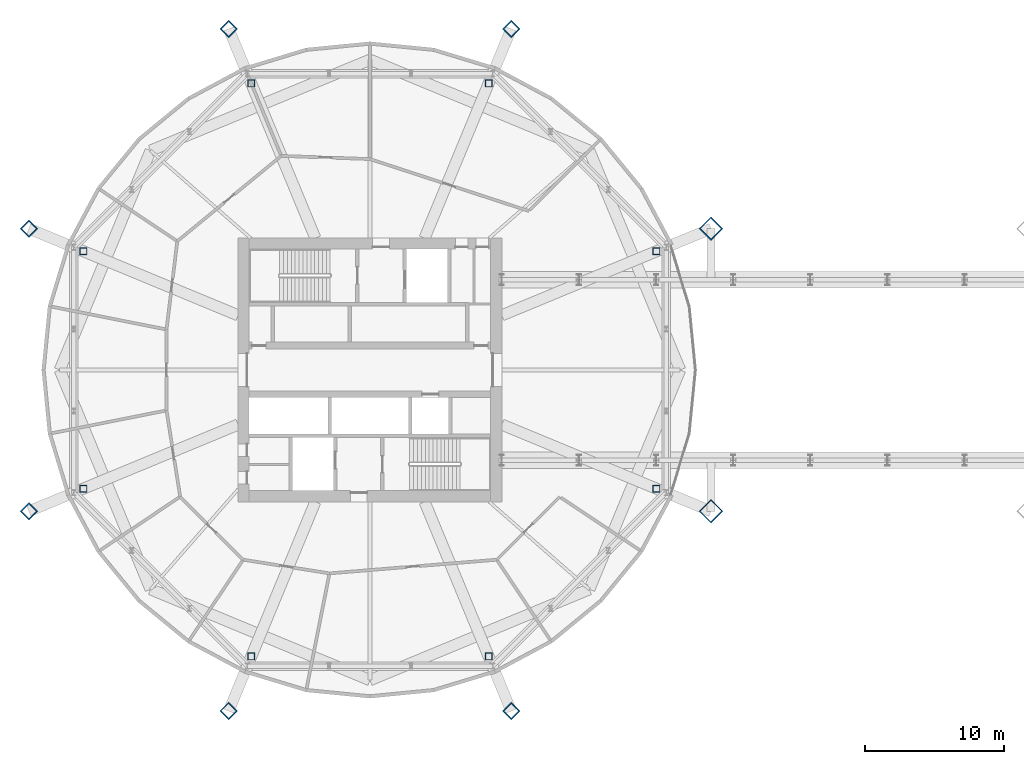
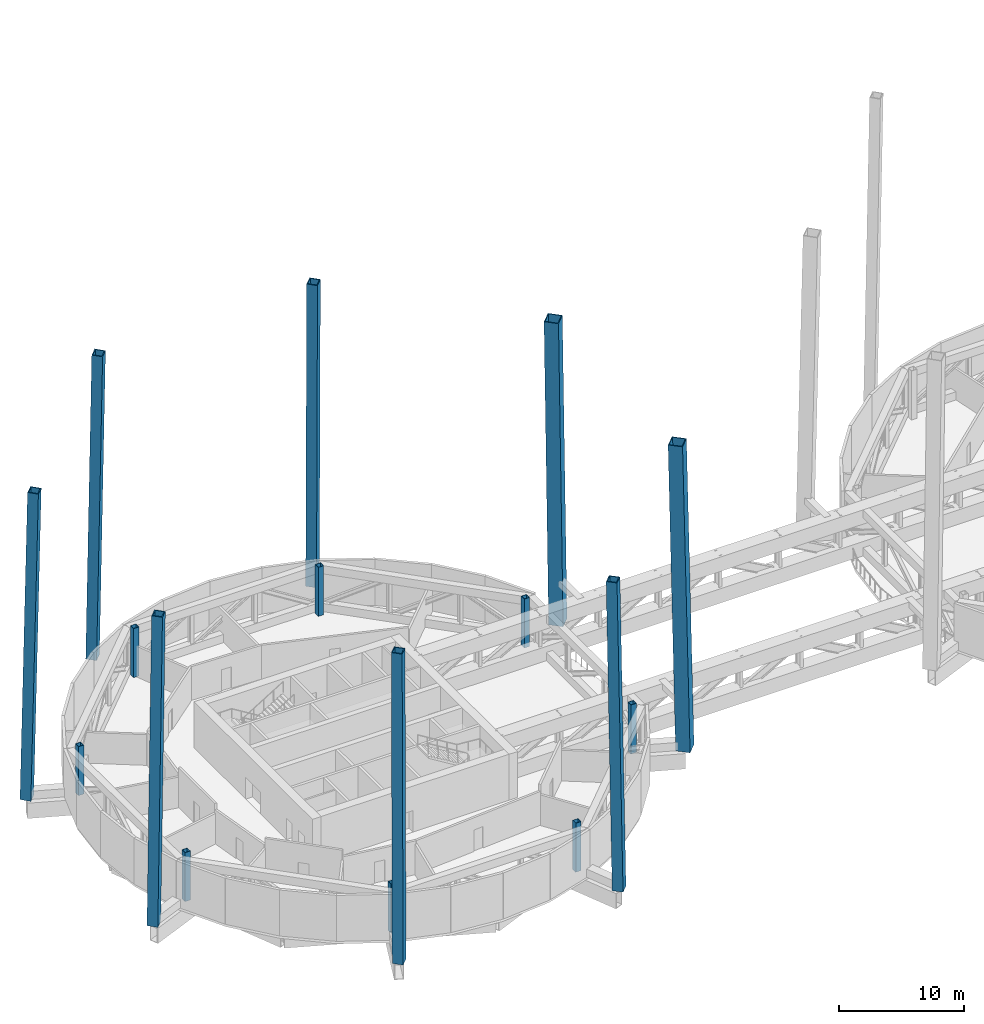
# One storey, part 1 of 19: 16 columns.
"""IFC4 building model written with IfcOpenShell, lengths in metres."""

from ifc_helpers import new_model, si_unit, direction, frame, origin, origin_2d, place, context, subcontext, project, spatial, hollow_rectangle, extrude, material, material_profile, profile_set, type_object, element, save


model = new_model("IFC4")

# Units and contexts
model_context = context("Model", 3, precision=1e-05, world=origin(), true_north=direction((0.0, 1.0)))
body_context = subcontext(model_context, "Body", "Model", "MODEL_VIEW")
ifc_project = project(units=[si_unit("LENGTHUNIT", "METRE"), si_unit("AREAUNIT", "SQUARE_METRE"), si_unit("VOLUMEUNIT", "CUBIC_METRE"), si_unit("PLANEANGLEUNIT", "RADIAN"), si_unit("MASSUNIT", "GRAM", prefix="KILO")], contexts=[model_context])

# Site, building, storey
site_placement = place(None, origin())
site = spatial("IfcSite", under=ifc_project, at=site_placement, CompositionType="ELEMENT")
building_placement = place(site_placement, origin())
building = spatial("IfcBuilding", under=site, at=building_placement, Name="Ogive Gate Towers", CompositionType="ELEMENT")
storey_placement = place(building_placement, frame((0.0, 0.0, 130.800048828125)))
storey = spatial("IfcBuildingStorey", under=building, at=storey_placement, Name="L31", CompositionType="ELEMENT", Elevation=130.800048828125)

# Columns
ifc_material = material(Name="Steel SM460", Category="steel")
ifc_material_profile_1 = material_profile(ifc_material, hollow_rectangle(XDim=0.89990234375, YDim=0.89990234375, WallThickness=0.080078125, at=origin_2d()), Name="BX 900x900x80")
ifc_profile_set_1 = profile_set([ifc_material_profile_1], Name="Steel SM460")
column_type_1 = type_object("IfcColumnType", Name="Gate column BX 900x900x80", PredefinedType="COLUMN", material=ifc_profile_set_1)
for number, where, z_axis, x_axis, name in (
    (1, (-25.820556640625, 24.5751953125, 0.0), (-0.007786476489, -0.018778670571, 0.999793344805), (0.707293788145, 0.706670185601, 0.018781534372), "T1/L31/SCL002"),
    (2, (-46.179443359375, 24.5751953125, 0.0), (0.007786476489, -0.018778670571, 0.999793344805), (-0.707293788145, 0.706670185601, 0.018781534372), "T1/L31/SCL003"),
    (3, (-60.5751953125, 10.179443359375, 0.0), (0.018778670571, -0.007786476489, 0.999793344805), (-0.707293864185, -0.706876840783, 0.007779566259), "T1/L31/SCL004"),
    (4, (-60.5751953125, -10.179443359375, 0.0), (0.018778670571, 0.007786476489, 0.999793344805), (0.707293864185, -0.706876840783, -0.007779566259), "T1/L31/SCL005"),
    (5, (-46.179443359375, -24.5751953125, 0.0), (0.007786476489, 0.018778670571, 0.999793344805), (0.707293788145, 0.706670185601, -0.018781534372), "T1/L31/SCL006"),
    (6, (-25.820556640625, -24.5751953125, 0.0), (-0.007786476489, 0.018778670571, 0.999793344805), (-0.707293788145, 0.706670185601, -0.018781534372), "T1/L31/SCL007"),
):
    element("IfcColumn", number, at=place(storey_placement, frame(where, z_axis=z_axis, x_axis=x_axis)), inside=storey, type_object=column_type_1, Name=name, PredefinedType="COLUMN", context=body_context, shape_type="SweptSolid", body=[
        extrude(hollow_rectangle(XDim=0.89990234375, YDim=0.89990234375, WallThickness=0.080078125, at=origin_2d()), origin(), (0.0, 0.0, 1.0), 30.006103515625),
    ])
ifc_material_profile_2 = material_profile(ifc_material, hollow_rectangle(XDim=1.199951171875, YDim=1.199951171875, WallThickness=0.070068359375, at=origin_2d()), Name="BX 1200x1200x70")
ifc_profile_set_2 = profile_set([ifc_material_profile_2], Name="Steel SM460")
column_type_2 = type_object("IfcColumnType", Name="Gate jamb column BX 1200x1200x70", PredefinedType="COLUMN", material=ifc_profile_set_2)
for number, where, z_axis, x_axis, name in (
    (7, (-11.4248046875, 10.179443359375, 0.0), (-0.018778670571, -0.007786476489, 0.999793344805), (0.707293864185, -0.706876840783, 0.007779566259), "T1/L31/SCL001"),
    (8, (-11.4248046875, -10.179443359375, 0.0), (-0.018778670571, 0.007786476489, 0.999793344805), (-0.707293864185, -0.706876840783, -0.007779566259), "T1/L31/SCL008"),
):
    element("IfcColumn", number, at=place(storey_placement, frame(where, z_axis=z_axis, x_axis=x_axis)), inside=storey, type_object=column_type_2, Name=name, PredefinedType="COLUMN", context=body_context, shape_type="SweptSolid", body=[
        extrude(hollow_rectangle(XDim=1.199951171875, YDim=1.199951171875, WallThickness=0.070068359375, at=origin_2d()), origin(), (0.0, 0.0, 1.0), 30.006103515625),
    ])
ifc_material_profile_3 = material_profile(ifc_material, hollow_rectangle(XDim=0.5, YDim=0.5, WallThickness=0.030029296875, at=origin_2d()), Name="BX 500x500x30")
ifc_profile_set_3 = profile_set([ifc_material_profile_3], Name="Steel SM460")
column_type_3 = type_object("IfcColumnType", Name="Perimeter post BX 500x500x30", PredefinedType="COLUMN", material=ifc_profile_set_3)
for number, where, z_axis, x_axis, name in (
    (9, (-15.360595703125, 8.549072265625, 0.0), (0.0, 0.0, 1.0), (1.0, 0.0, 0.0), "T1/L31/SCL009"),
    (10, (-27.450927734375, 20.639404296875, 0.0), (0.0, 0.0, 1.0), (1.0, 0.0, 0.0), "T1/L31/SCL010"),
    (11, (-44.549072265625, 20.639404296875, 0.0), (0.0, 0.0, 1.0), (1.0, 0.0, 0.0), "T1/L31/SCL011"),
    (12, (-56.639404296875, 8.549072265625, 0.0), (0.0, 0.0, 1.0), (1.0, 0.0, 0.0), "T1/L31/SCL012"),
    (13, (-56.639404296875, -8.549072265625, 0.0), (0.0, 0.0, 1.0), (1.0, 0.0, 0.0), "T1/L31/SCL013"),
    (14, (-44.549072265625, -20.639404296875, 0.0), (0.0, 0.0, 1.0), (1.0, 0.0, 0.0), "T1/L31/SCL014"),
    (15, (-27.450927734375, -20.639404296875, 0.0), (0.0, 0.0, 1.0), (1.0, 0.0, 0.0), "T1/L31/SCL015"),
    (16, (-15.360595703125, -8.549072265625, 0.0), (0.0, 0.0, 1.0), (1.0, 0.0, 0.0), "T1/L31/SCL016"),
):
    element("IfcColumn", number, at=place(storey_placement, frame(where, z_axis=z_axis, x_axis=x_axis)), inside=storey, type_object=column_type_3, Name=name, PredefinedType="COLUMN", context=body_context, shape_type="SweptSolid", body=[
        extrude(hollow_rectangle(XDim=0.5, YDim=0.5, WallThickness=0.030029296875, at=origin_2d()), origin(), (0.0, 0.0, 1.0), 4.800048828125),
    ])

save(model, "model.ifc")
